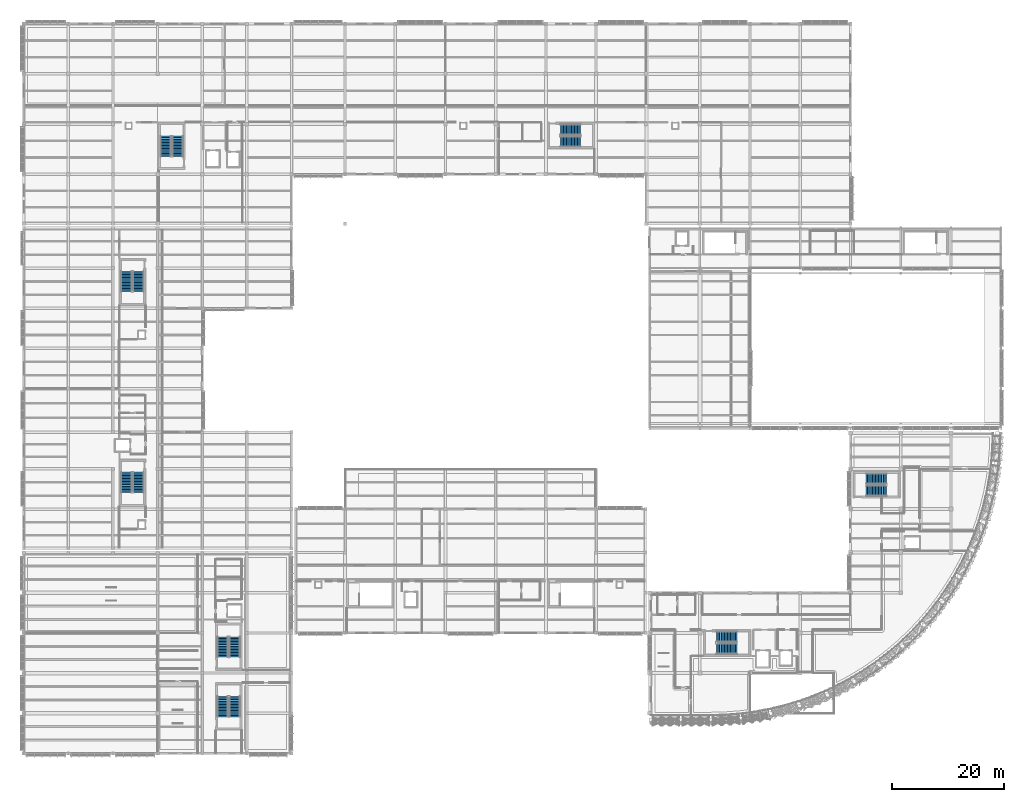
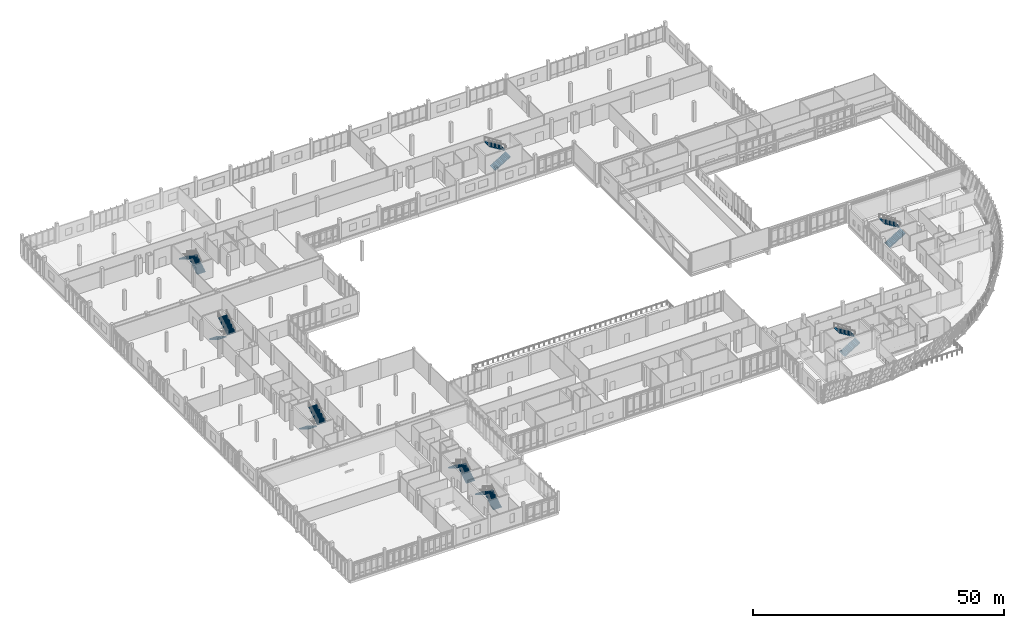
# One storey, part 163 of 177: 16 stair flights, 8 elements without a shape of their own.
"""IFC4 building model written with IfcOpenShell, lengths in metres."""

from ifc_helpers import new_model, si_unit, direction, frame, origin, place, context, subcontext, project, spatial, polyline, outline, extrude, material, type_object, element, aggregate, save


model = new_model("IFC4")

# Units and contexts
model_context = context("Model", 3, precision=1e-05, world=origin(), true_north=direction((0.0, 1.0)))
body_context = subcontext(model_context, "Body", "Model", "MODEL_VIEW")
ifc_project = project(units=[si_unit("LENGTHUNIT", "METRE"), si_unit("AREAUNIT", "SQUARE_METRE"), si_unit("VOLUMEUNIT", "CUBIC_METRE"), si_unit("PLANEANGLEUNIT", "RADIAN"), si_unit("MASSUNIT", "GRAM", prefix="KILO")], contexts=[model_context])

# Site, building, storey
site_placement = place(None, origin())
site = spatial("IfcSite", under=ifc_project, at=site_placement, CompositionType="ELEMENT")
building_placement = place(site_placement, origin())
building = spatial("IfcBuilding", under=site, at=building_placement, Name="Chiffa Square Polytechnic", CompositionType="ELEMENT")
storey_placement = place(building_placement, frame((0.0, 0.0, 4.800048828125)))
storey = spatial("IfcBuildingStorey", under=building, at=storey_placement, Name="L01", CompositionType="ELEMENT", Elevation=4.800048828125)

# Stair, stair flights
ifc_material = material(Name="Concrete C35/45", Category="concrete")
stair_type = type_object("IfcStairType", Name="STAIR-DOG-1950", PredefinedType="HALF_TURN_STAIR", material=ifc_material)
stair_1_placement = place(storey_placement, origin())
stair_1 = element("IfcStair", 1, at=stair_1_placement, inside=storey, type_object=stair_type, Name="L01 Enclosed exit stair ST-V1A", PredefinedType="HALF_TURN_STAIR")
stair_flight_type = type_object("IfcStairFlightType", Name="STFLT-1950", PredefinedType="STRAIGHT", material=ifc_material)
stair_flight_1_placement = place(storey_placement, frame((124.199951171875, 18.72509765625, 0.0), z_axis=(0.0, 0.0, 1.0), x_axis=(1.0, 0.0, 0.0)))
stair_flight_1 = element("IfcStairFlight", 2, at=stair_flight_1_placement, type_object=stair_flight_type, Name="ST-V1A flight 1", NumberOfRisers=14, NumberOfTreads=13, PredefinedType="STRAIGHT", RiserHeight=0.171428571, TreadLength=0.28, context=body_context, shape_type="SweptSolid", body=[
    extrude(outline(polyline([(0.0, 0.0), (0.0, 0.17138671875), (0.280029296875, 0.17138671875), (0.280029296875, 0.3427734375), (0.56005859375, 0.3427734375), (0.56005859375, 0.514404296875), (0.840087890625, 0.514404296875), (0.840087890625, 0.685791015625), (1.1201171875, 0.685791015625), (1.1201171875, 0.857177734375), (1.39990234375, 0.857177734375), (1.39990234375, 1.028564453125), (1.679931640625, 1.028564453125), (1.679931640625, 1.199951171875), (1.9599609375, 1.199951171875), (1.9599609375, 1.371337890625), (2.239990234375, 1.371337890625), (2.239990234375, 1.54296875), (2.52001953125, 1.54296875), (2.52001953125, 1.71435546875), (2.800048828125, 1.71435546875), (2.800048828125, 1.8857421875), (3.080078125, 1.8857421875), (3.080078125, 2.05712890625), (3.360107421875, 2.05712890625), (3.360107421875, 2.228515625), (3.639892578125, 2.228515625), (3.639892578125, 2.39990234375), (3.639892578125, 2.041015625), (0.30615234375, 0.0), (0.0, 0.0)])), frame((0.0, 0.97509765625, 0.0), z_axis=(0.0, -1.0, 0.0), x_axis=(1.0, 0.0, 0.0)), (0.0, 0.0, 1.0), 1.949951171875),
])
stair_flight_2_placement = place(storey_placement, frame((127.840087890625, 20.875, 2.39990234375), z_axis=(0.0, 0.0, 1.0), x_axis=(-1.0, 0.0, 0.0)))
stair_flight_2 = element("IfcStairFlight", 3, at=stair_flight_2_placement, type_object=stair_flight_type, Name="ST-V1A flight 2", NumberOfRisers=14, NumberOfTreads=13, PredefinedType="STRAIGHT", RiserHeight=0.171428571, TreadLength=0.28, context=body_context, shape_type="SweptSolid", body=[
    extrude(outline(polyline([(0.0, 0.0), (0.0, 0.17138671875), (0.280029296875, 0.17138671875), (0.280029296875, 0.3427734375), (0.56005859375, 0.3427734375), (0.56005859375, 0.514404296875), (0.840087890625, 0.514404296875), (0.840087890625, 0.685791015625), (1.1201171875, 0.685791015625), (1.1201171875, 0.857177734375), (1.39990234375, 0.857177734375), (1.39990234375, 1.028564453125), (1.679931640625, 1.028564453125), (1.679931640625, 1.199951171875), (1.9599609375, 1.199951171875), (1.9599609375, 1.371337890625), (2.239990234375, 1.371337890625), (2.239990234375, 1.54296875), (2.52001953125, 1.54296875), (2.52001953125, 1.71435546875), (2.800048828125, 1.71435546875), (2.800048828125, 1.8857421875), (3.080078125, 1.8857421875), (3.080078125, 2.05712890625), (3.360107421875, 2.05712890625), (3.360107421875, 2.228515625), (3.639892578125, 2.228515625), (3.639892578125, 2.39990234375), (3.639892578125, 2.041015625), (0.30615234375, 0.0), (0.0, 0.0)])), frame((0.0, 0.97509765625, 0.0), z_axis=(0.0, -1.0, 0.0), x_axis=(1.0, 0.0, 0.0)), (0.0, 0.0, 1.0), 1.949951171875),
])
aggregate(stair_1, [stair_flight_1, stair_flight_2])

stair_2_placement = place(storey_placement, origin())
stair_2 = element("IfcStair", 4, at=stair_2_placement, inside=storey, type_object=stair_type, Name="L01 Enclosed exit stair ST-V1B", PredefinedType="HALF_TURN_STAIR")
stair_flight_3_placement = place(storey_placement, frame((151.0, 47.074951171875, 0.0), z_axis=(0.0, 0.0, 1.0), x_axis=(1.0, 0.0, 0.0)))
stair_flight_3 = element("IfcStairFlight", 5, at=stair_flight_3_placement, type_object=stair_flight_type, Name="ST-V1B flight 1", NumberOfRisers=14, NumberOfTreads=13, PredefinedType="STRAIGHT", RiserHeight=0.171428571, TreadLength=0.28, context=body_context, shape_type="SweptSolid", body=[
    extrude(outline(polyline([(0.0, 0.0), (0.0, 0.17138671875), (0.280029296875, 0.17138671875), (0.280029296875, 0.3427734375), (0.56005859375, 0.3427734375), (0.56005859375, 0.514404296875), (0.840087890625, 0.514404296875), (0.840087890625, 0.685791015625), (1.1201171875, 0.685791015625), (1.1201171875, 0.857177734375), (1.39990234375, 0.857177734375), (1.39990234375, 1.028564453125), (1.679931640625, 1.028564453125), (1.679931640625, 1.199951171875), (1.9599609375, 1.199951171875), (1.9599609375, 1.371337890625), (2.239990234375, 1.371337890625), (2.239990234375, 1.54296875), (2.52001953125, 1.54296875), (2.52001953125, 1.71435546875), (2.800048828125, 1.71435546875), (2.800048828125, 1.8857421875), (3.080078125, 1.8857421875), (3.080078125, 2.05712890625), (3.360107421875, 2.05712890625), (3.360107421875, 2.228515625), (3.639892578125, 2.228515625), (3.639892578125, 2.39990234375), (3.639892578125, 2.041015625), (0.30615234375, 0.0), (0.0, 0.0)])), frame((0.0, 0.97509765625, 0.0), z_axis=(0.0, -1.0, 0.0), x_axis=(1.0, 0.0, 0.0)), (0.0, 0.0, 1.0), 1.949951171875),
])
stair_flight_4_placement = place(storey_placement, frame((154.639892578125, 49.22509765625, 2.39990234375), z_axis=(0.0, 0.0, 1.0), x_axis=(-1.0, 0.0, 0.0)))
stair_flight_4 = element("IfcStairFlight", 6, at=stair_flight_4_placement, type_object=stair_flight_type, Name="ST-V1B flight 2", NumberOfRisers=14, NumberOfTreads=13, PredefinedType="STRAIGHT", RiserHeight=0.171428571, TreadLength=0.28, context=body_context, shape_type="SweptSolid", body=[
    extrude(outline(polyline([(0.0, 0.0), (0.0, 0.17138671875), (0.280029296875, 0.17138671875), (0.280029296875, 0.3427734375), (0.56005859375, 0.3427734375), (0.56005859375, 0.514404296875), (0.840087890625, 0.514404296875), (0.840087890625, 0.685791015625), (1.1201171875, 0.685791015625), (1.1201171875, 0.857177734375), (1.39990234375, 0.857177734375), (1.39990234375, 1.028564453125), (1.679931640625, 1.028564453125), (1.679931640625, 1.199951171875), (1.9599609375, 1.199951171875), (1.9599609375, 1.371337890625), (2.239990234375, 1.371337890625), (2.239990234375, 1.54296875), (2.52001953125, 1.54296875), (2.52001953125, 1.71435546875), (2.800048828125, 1.71435546875), (2.800048828125, 1.8857421875), (3.080078125, 1.8857421875), (3.080078125, 2.05712890625), (3.360107421875, 2.05712890625), (3.360107421875, 2.228515625), (3.639892578125, 2.228515625), (3.639892578125, 2.39990234375), (3.639892578125, 2.041015625), (0.30615234375, 0.0), (0.0, 0.0)])), frame((0.0, 0.97509765625, 0.0), z_axis=(0.0, -1.0, 0.0), x_axis=(1.0, 0.0, 0.0)), (0.0, 0.0, 1.0), 1.949951171875),
])
aggregate(stair_2, [stair_flight_3, stair_flight_4])

stair_3_placement = place(storey_placement, origin())
stair_3 = element("IfcStair", 7, at=stair_3_placement, inside=storey, type_object=stair_type, Name="L01 Enclosed exit stair ST-V3A", PredefinedType="HALF_TURN_STAIR")
stair_flight_5_placement = place(storey_placement, frame((37.824951171875, 6.550048828125, 0.0), z_axis=(0.0, 0.0, 1.0), x_axis=(0.0, 1.0, 0.0)))
stair_flight_5 = element("IfcStairFlight", 8, at=stair_flight_5_placement, type_object=stair_flight_type, Name="ST-V3A flight 1", NumberOfRisers=14, NumberOfTreads=13, PredefinedType="STRAIGHT", RiserHeight=0.171428571, TreadLength=0.28, context=body_context, shape_type="SweptSolid", body=[
    extrude(outline(polyline([(0.0, 0.0), (0.0, 0.17138671875), (0.280029296875, 0.17138671875), (0.280029296875, 0.3427734375), (0.56005859375, 0.3427734375), (0.56005859375, 0.514404296875), (0.840087890625, 0.514404296875), (0.840087890625, 0.685791015625), (1.1201171875, 0.685791015625), (1.1201171875, 0.857177734375), (1.39990234375, 0.857177734375), (1.39990234375, 1.028564453125), (1.679931640625, 1.028564453125), (1.679931640625, 1.199951171875), (1.9599609375, 1.199951171875), (1.9599609375, 1.371337890625), (2.239990234375, 1.371337890625), (2.239990234375, 1.54296875), (2.52001953125, 1.54296875), (2.52001953125, 1.71435546875), (2.800048828125, 1.71435546875), (2.800048828125, 1.8857421875), (3.080078125, 1.8857421875), (3.080078125, 2.05712890625), (3.360107421875, 2.05712890625), (3.360107421875, 2.228515625), (3.639892578125, 2.228515625), (3.639892578125, 2.39990234375), (3.639892578125, 2.041015625), (0.30615234375, 0.0), (0.0, 0.0)])), frame((0.0, 0.97509765625, 0.0), z_axis=(0.0, -1.0, 0.0), x_axis=(1.0, 0.0, 0.0)), (0.0, 0.0, 1.0), 1.949951171875),
])
stair_flight_6_placement = place(storey_placement, frame((35.675048828125, 10.18994140625, 2.39990234375), z_axis=(0.0, 0.0, 1.0), x_axis=(0.0, -1.0, 0.0)))
stair_flight_6 = element("IfcStairFlight", 9, at=stair_flight_6_placement, type_object=stair_flight_type, Name="ST-V3A flight 2", NumberOfRisers=14, NumberOfTreads=13, PredefinedType="STRAIGHT", RiserHeight=0.171428571, TreadLength=0.28, context=body_context, shape_type="SweptSolid", body=[
    extrude(outline(polyline([(0.0, 0.0), (0.0, 0.17138671875), (0.280029296875, 0.17138671875), (0.280029296875, 0.3427734375), (0.56005859375, 0.3427734375), (0.56005859375, 0.514404296875), (0.840087890625, 0.514404296875), (0.840087890625, 0.685791015625), (1.1201171875, 0.685791015625), (1.1201171875, 0.857177734375), (1.39990234375, 0.857177734375), (1.39990234375, 1.028564453125), (1.679931640625, 1.028564453125), (1.679931640625, 1.199951171875), (1.9599609375, 1.199951171875), (1.9599609375, 1.371337890625), (2.239990234375, 1.371337890625), (2.239990234375, 1.54296875), (2.52001953125, 1.54296875), (2.52001953125, 1.71435546875), (2.800048828125, 1.71435546875), (2.800048828125, 1.8857421875), (3.080078125, 1.8857421875), (3.080078125, 2.05712890625), (3.360107421875, 2.05712890625), (3.360107421875, 2.228515625), (3.639892578125, 2.228515625), (3.639892578125, 2.39990234375), (3.639892578125, 2.041015625), (0.30615234375, 0.0), (0.0, 0.0)])), frame((0.0, 0.97509765625, 0.0), z_axis=(0.0, -1.0, 0.0), x_axis=(1.0, 0.0, 0.0)), (0.0, 0.0, 1.0), 1.949951171875),
])
aggregate(stair_3, [stair_flight_5, stair_flight_6])

stair_4_placement = place(storey_placement, origin())
stair_4 = element("IfcStair", 10, at=stair_4_placement, inside=storey, type_object=stair_type, Name="L01 Enclosed exit stair ST-V3B", PredefinedType="HALF_TURN_STAIR")
stair_flight_7_placement = place(storey_placement, frame((37.824951171875, 17.25, 0.0), z_axis=(0.0, 0.0, 1.0), x_axis=(0.0, 1.0, 0.0)))
stair_flight_7 = element("IfcStairFlight", 11, at=stair_flight_7_placement, type_object=stair_flight_type, Name="ST-V3B flight 1", NumberOfRisers=14, NumberOfTreads=13, PredefinedType="STRAIGHT", RiserHeight=0.171428571, TreadLength=0.28, context=body_context, shape_type="SweptSolid", body=[
    extrude(outline(polyline([(0.0, 0.0), (0.0, 0.17138671875), (0.280029296875, 0.17138671875), (0.280029296875, 0.3427734375), (0.56005859375, 0.3427734375), (0.56005859375, 0.514404296875), (0.840087890625, 0.514404296875), (0.840087890625, 0.685791015625), (1.1201171875, 0.685791015625), (1.1201171875, 0.857177734375), (1.39990234375, 0.857177734375), (1.39990234375, 1.028564453125), (1.679931640625, 1.028564453125), (1.679931640625, 1.199951171875), (1.9599609375, 1.199951171875), (1.9599609375, 1.371337890625), (2.239990234375, 1.371337890625), (2.239990234375, 1.54296875), (2.52001953125, 1.54296875), (2.52001953125, 1.71435546875), (2.800048828125, 1.71435546875), (2.800048828125, 1.8857421875), (3.080078125, 1.8857421875), (3.080078125, 2.05712890625), (3.360107421875, 2.05712890625), (3.360107421875, 2.228515625), (3.639892578125, 2.228515625), (3.639892578125, 2.39990234375), (3.639892578125, 2.041015625), (0.30615234375, 0.0), (0.0, 0.0)])), frame((0.0, 0.97509765625, 0.0), z_axis=(0.0, -1.0, 0.0), x_axis=(1.0, 0.0, 0.0)), (0.0, 0.0, 1.0), 1.949951171875),
])
stair_flight_8_placement = place(storey_placement, frame((35.675048828125, 20.889892578125, 2.39990234375), z_axis=(0.0, 0.0, 1.0), x_axis=(0.0, -1.0, 0.0)))
stair_flight_8 = element("IfcStairFlight", 12, at=stair_flight_8_placement, type_object=stair_flight_type, Name="ST-V3B flight 2", NumberOfRisers=14, NumberOfTreads=13, PredefinedType="STRAIGHT", RiserHeight=0.171428571, TreadLength=0.28, context=body_context, shape_type="SweptSolid", body=[
    extrude(outline(polyline([(0.0, 0.0), (0.0, 0.17138671875), (0.280029296875, 0.17138671875), (0.280029296875, 0.3427734375), (0.56005859375, 0.3427734375), (0.56005859375, 0.514404296875), (0.840087890625, 0.514404296875), (0.840087890625, 0.685791015625), (1.1201171875, 0.685791015625), (1.1201171875, 0.857177734375), (1.39990234375, 0.857177734375), (1.39990234375, 1.028564453125), (1.679931640625, 1.028564453125), (1.679931640625, 1.199951171875), (1.9599609375, 1.199951171875), (1.9599609375, 1.371337890625), (2.239990234375, 1.371337890625), (2.239990234375, 1.54296875), (2.52001953125, 1.54296875), (2.52001953125, 1.71435546875), (2.800048828125, 1.71435546875), (2.800048828125, 1.8857421875), (3.080078125, 1.8857421875), (3.080078125, 2.05712890625), (3.360107421875, 2.05712890625), (3.360107421875, 2.228515625), (3.639892578125, 2.228515625), (3.639892578125, 2.39990234375), (3.639892578125, 2.041015625), (0.30615234375, 0.0), (0.0, 0.0)])), frame((0.0, 0.97509765625, 0.0), z_axis=(0.0, -1.0, 0.0), x_axis=(1.0, 0.0, 0.0)), (0.0, 0.0, 1.0), 1.949951171875),
])
aggregate(stair_4, [stair_flight_7, stair_flight_8])

stair_5_placement = place(storey_placement, origin())
stair_5 = element("IfcStair", 13, at=stair_5_placement, inside=storey, type_object=stair_type, Name="L01 Enclosed exit stair ST-V5A", PredefinedType="HALF_TURN_STAIR")
stair_flight_9_placement = place(storey_placement, frame((27.625, 107.0, 0.0), z_axis=(0.0, 0.0, 1.0), x_axis=(0.0, 1.0, 0.0)))
stair_flight_9 = element("IfcStairFlight", 14, at=stair_flight_9_placement, type_object=stair_flight_type, Name="ST-V5A flight 1", NumberOfRisers=14, NumberOfTreads=13, PredefinedType="STRAIGHT", RiserHeight=0.171428571, TreadLength=0.28, context=body_context, shape_type="SweptSolid", body=[
    extrude(outline(polyline([(0.0, 0.0), (0.0, 0.17138671875), (0.280029296875, 0.17138671875), (0.280029296875, 0.3427734375), (0.56005859375, 0.3427734375), (0.56005859375, 0.514404296875), (0.840087890625, 0.514404296875), (0.840087890625, 0.685791015625), (1.1201171875, 0.685791015625), (1.1201171875, 0.857177734375), (1.39990234375, 0.857177734375), (1.39990234375, 1.028564453125), (1.679931640625, 1.028564453125), (1.679931640625, 1.199951171875), (1.9599609375, 1.199951171875), (1.9599609375, 1.371337890625), (2.239990234375, 1.371337890625), (2.239990234375, 1.54296875), (2.52001953125, 1.54296875), (2.52001953125, 1.71435546875), (2.800048828125, 1.71435546875), (2.800048828125, 1.8857421875), (3.080078125, 1.8857421875), (3.080078125, 2.05712890625), (3.360107421875, 2.05712890625), (3.360107421875, 2.228515625), (3.639892578125, 2.228515625), (3.639892578125, 2.39990234375), (3.639892578125, 2.041015625), (0.30615234375, 0.0), (0.0, 0.0)])), frame((0.0, 0.97509765625, 0.0), z_axis=(0.0, -1.0, 0.0), x_axis=(1.0, 0.0, 0.0)), (0.0, 0.0, 1.0), 1.949951171875),
])
stair_flight_10_placement = place(storey_placement, frame((25.47509765625, 110.639892578125, 2.39990234375), z_axis=(0.0, 0.0, 1.0), x_axis=(0.0, -1.0, 0.0)))
stair_flight_10 = element("IfcStairFlight", 15, at=stair_flight_10_placement, type_object=stair_flight_type, Name="ST-V5A flight 2", NumberOfRisers=14, NumberOfTreads=13, PredefinedType="STRAIGHT", RiserHeight=0.171428571, TreadLength=0.28, context=body_context, shape_type="SweptSolid", body=[
    extrude(outline(polyline([(0.0, 0.0), (0.0, 0.17138671875), (0.280029296875, 0.17138671875), (0.280029296875, 0.3427734375), (0.56005859375, 0.3427734375), (0.56005859375, 0.514404296875), (0.840087890625, 0.514404296875), (0.840087890625, 0.685791015625), (1.1201171875, 0.685791015625), (1.1201171875, 0.857177734375), (1.39990234375, 0.857177734375), (1.39990234375, 1.028564453125), (1.679931640625, 1.028564453125), (1.679931640625, 1.199951171875), (1.9599609375, 1.199951171875), (1.9599609375, 1.371337890625), (2.239990234375, 1.371337890625), (2.239990234375, 1.54296875), (2.52001953125, 1.54296875), (2.52001953125, 1.71435546875), (2.800048828125, 1.71435546875), (2.800048828125, 1.8857421875), (3.080078125, 1.8857421875), (3.080078125, 2.05712890625), (3.360107421875, 2.05712890625), (3.360107421875, 2.228515625), (3.639892578125, 2.228515625), (3.639892578125, 2.39990234375), (3.639892578125, 2.041015625), (0.30615234375, 0.0), (0.0, 0.0)])), frame((0.0, 0.97509765625, 0.0), z_axis=(0.0, -1.0, 0.0), x_axis=(1.0, 0.0, 0.0)), (0.0, 0.0, 1.0), 1.949951171875),
])
aggregate(stair_5, [stair_flight_9, stair_flight_10])

stair_6_placement = place(storey_placement, origin())
stair_6 = element("IfcStair", 16, at=stair_6_placement, inside=storey, type_object=stair_type, Name="L01 Enclosed exit stair ST-V5B", PredefinedType="HALF_TURN_STAIR")
stair_flight_11_placement = place(storey_placement, frame((96.199951171875, 109.675048828125, 0.0), z_axis=(0.0, 0.0, 1.0), x_axis=(1.0, 0.0, 0.0)))
stair_flight_11 = element("IfcStairFlight", 17, at=stair_flight_11_placement, type_object=stair_flight_type, Name="ST-V5B flight 1", NumberOfRisers=14, NumberOfTreads=13, PredefinedType="STRAIGHT", RiserHeight=0.171428571, TreadLength=0.28, context=body_context, shape_type="SweptSolid", body=[
    extrude(outline(polyline([(0.0, 0.0), (0.0, 0.17138671875), (0.280029296875, 0.17138671875), (0.280029296875, 0.3427734375), (0.56005859375, 0.3427734375), (0.56005859375, 0.514404296875), (0.840087890625, 0.514404296875), (0.840087890625, 0.685791015625), (1.1201171875, 0.685791015625), (1.1201171875, 0.857177734375), (1.39990234375, 0.857177734375), (1.39990234375, 1.028564453125), (1.679931640625, 1.028564453125), (1.679931640625, 1.199951171875), (1.9599609375, 1.199951171875), (1.9599609375, 1.371337890625), (2.239990234375, 1.371337890625), (2.239990234375, 1.54296875), (2.52001953125, 1.54296875), (2.52001953125, 1.71435546875), (2.800048828125, 1.71435546875), (2.800048828125, 1.8857421875), (3.080078125, 1.8857421875), (3.080078125, 2.05712890625), (3.360107421875, 2.05712890625), (3.360107421875, 2.228515625), (3.639892578125, 2.228515625), (3.639892578125, 2.39990234375), (3.639892578125, 2.041015625), (0.30615234375, 0.0), (0.0, 0.0)])), frame((0.0, 0.97509765625, 0.0), z_axis=(0.0, -1.0, 0.0), x_axis=(1.0, 0.0, 0.0)), (0.0, 0.0, 1.0), 1.949951171875),
])
stair_flight_12_placement = place(storey_placement, frame((99.840087890625, 111.824951171875, 2.39990234375), z_axis=(0.0, 0.0, 1.0), x_axis=(-1.0, 0.0, 0.0)))
stair_flight_12 = element("IfcStairFlight", 18, at=stair_flight_12_placement, type_object=stair_flight_type, Name="ST-V5B flight 2", NumberOfRisers=14, NumberOfTreads=13, PredefinedType="STRAIGHT", RiserHeight=0.171428571, TreadLength=0.28, context=body_context, shape_type="SweptSolid", body=[
    extrude(outline(polyline([(0.0, 0.0), (0.0, 0.17138671875), (0.280029296875, 0.17138671875), (0.280029296875, 0.3427734375), (0.56005859375, 0.3427734375), (0.56005859375, 0.514404296875), (0.840087890625, 0.514404296875), (0.840087890625, 0.685791015625), (1.1201171875, 0.685791015625), (1.1201171875, 0.857177734375), (1.39990234375, 0.857177734375), (1.39990234375, 1.028564453125), (1.679931640625, 1.028564453125), (1.679931640625, 1.199951171875), (1.9599609375, 1.199951171875), (1.9599609375, 1.371337890625), (2.239990234375, 1.371337890625), (2.239990234375, 1.54296875), (2.52001953125, 1.54296875), (2.52001953125, 1.71435546875), (2.800048828125, 1.71435546875), (2.800048828125, 1.8857421875), (3.080078125, 1.8857421875), (3.080078125, 2.05712890625), (3.360107421875, 2.05712890625), (3.360107421875, 2.228515625), (3.639892578125, 2.228515625), (3.639892578125, 2.39990234375), (3.639892578125, 2.041015625), (0.30615234375, 0.0), (0.0, 0.0)])), frame((0.0, 0.97509765625, 0.0), z_axis=(0.0, -1.0, 0.0), x_axis=(1.0, 0.0, 0.0)), (0.0, 0.0, 1.0), 1.949951171875),
])
aggregate(stair_6, [stair_flight_11, stair_flight_12])

stair_7_placement = place(storey_placement, origin())
stair_7 = element("IfcStair", 19, at=stair_7_placement, inside=storey, type_object=stair_type, Name="L01 Enclosed exit stair ST-V6A", PredefinedType="HALF_TURN_STAIR")
stair_flight_13_placement = place(storey_placement, frame((18.425048828125, 50.39990234375, 0.0), z_axis=(0.0, 0.0, 1.0), x_axis=(0.0, -1.0, 0.0)))
stair_flight_13 = element("IfcStairFlight", 20, at=stair_flight_13_placement, type_object=stair_flight_type, Name="ST-V6A flight 1", NumberOfRisers=14, NumberOfTreads=13, PredefinedType="STRAIGHT", RiserHeight=0.171428571, TreadLength=0.28, context=body_context, shape_type="SweptSolid", body=[
    extrude(outline(polyline([(0.0, 0.0), (0.0, 0.17138671875), (0.280029296875, 0.17138671875), (0.280029296875, 0.3427734375), (0.56005859375, 0.3427734375), (0.56005859375, 0.514404296875), (0.840087890625, 0.514404296875), (0.840087890625, 0.685791015625), (1.1201171875, 0.685791015625), (1.1201171875, 0.857177734375), (1.39990234375, 0.857177734375), (1.39990234375, 1.028564453125), (1.679931640625, 1.028564453125), (1.679931640625, 1.199951171875), (1.9599609375, 1.199951171875), (1.9599609375, 1.371337890625), (2.239990234375, 1.371337890625), (2.239990234375, 1.54296875), (2.52001953125, 1.54296875), (2.52001953125, 1.71435546875), (2.800048828125, 1.71435546875), (2.800048828125, 1.8857421875), (3.080078125, 1.8857421875), (3.080078125, 2.05712890625), (3.360107421875, 2.05712890625), (3.360107421875, 2.228515625), (3.639892578125, 2.228515625), (3.639892578125, 2.39990234375), (3.639892578125, 2.041015625), (0.30615234375, 0.0), (0.0, 0.0)])), frame((0.0, 0.97509765625, 0.0), z_axis=(0.0, -1.0, 0.0), x_axis=(1.0, 0.0, 0.0)), (0.0, 0.0, 1.0), 1.949951171875),
])
stair_flight_14_placement = place(storey_placement, frame((20.574951171875, 46.760009765625, 2.39990234375), z_axis=(0.0, 0.0, 1.0), x_axis=(0.0, 1.0, 0.0)))
stair_flight_14 = element("IfcStairFlight", 21, at=stair_flight_14_placement, type_object=stair_flight_type, Name="ST-V6A flight 2", NumberOfRisers=14, NumberOfTreads=13, PredefinedType="STRAIGHT", RiserHeight=0.171428571, TreadLength=0.28, context=body_context, shape_type="SweptSolid", body=[
    extrude(outline(polyline([(0.0, 0.0), (0.0, 0.17138671875), (0.280029296875, 0.17138671875), (0.280029296875, 0.3427734375), (0.56005859375, 0.3427734375), (0.56005859375, 0.514404296875), (0.840087890625, 0.514404296875), (0.840087890625, 0.685791015625), (1.1201171875, 0.685791015625), (1.1201171875, 0.857177734375), (1.39990234375, 0.857177734375), (1.39990234375, 1.028564453125), (1.679931640625, 1.028564453125), (1.679931640625, 1.199951171875), (1.9599609375, 1.199951171875), (1.9599609375, 1.371337890625), (2.239990234375, 1.371337890625), (2.239990234375, 1.54296875), (2.52001953125, 1.54296875), (2.52001953125, 1.71435546875), (2.800048828125, 1.71435546875), (2.800048828125, 1.8857421875), (3.080078125, 1.8857421875), (3.080078125, 2.05712890625), (3.360107421875, 2.05712890625), (3.360107421875, 2.228515625), (3.639892578125, 2.228515625), (3.639892578125, 2.39990234375), (3.639892578125, 2.041015625), (0.30615234375, 0.0), (0.0, 0.0)])), frame((0.0, 0.97509765625, 0.0), z_axis=(0.0, -1.0, 0.0), x_axis=(1.0, 0.0, 0.0)), (0.0, 0.0, 1.0), 1.949951171875),
])
aggregate(stair_7, [stair_flight_13, stair_flight_14])

stair_8_placement = place(storey_placement, origin())
stair_8 = element("IfcStair", 22, at=stair_8_placement, inside=storey, type_object=stair_type, Name="L01 Enclosed exit stair ST-V6B", PredefinedType="HALF_TURN_STAIR")
stair_flight_15_placement = place(storey_placement, frame((18.425048828125, 86.39990234375, 0.0), z_axis=(0.0, 0.0, 1.0), x_axis=(0.0, -1.0, 0.0)))
stair_flight_15 = element("IfcStairFlight", 23, at=stair_flight_15_placement, type_object=stair_flight_type, Name="ST-V6B flight 1", NumberOfRisers=14, NumberOfTreads=13, PredefinedType="STRAIGHT", RiserHeight=0.171428571, TreadLength=0.28, context=body_context, shape_type="SweptSolid", body=[
    extrude(outline(polyline([(0.0, 0.0), (0.0, 0.17138671875), (0.280029296875, 0.17138671875), (0.280029296875, 0.3427734375), (0.56005859375, 0.3427734375), (0.56005859375, 0.514404296875), (0.840087890625, 0.514404296875), (0.840087890625, 0.685791015625), (1.1201171875, 0.685791015625), (1.1201171875, 0.857177734375), (1.39990234375, 0.857177734375), (1.39990234375, 1.028564453125), (1.679931640625, 1.028564453125), (1.679931640625, 1.199951171875), (1.9599609375, 1.199951171875), (1.9599609375, 1.371337890625), (2.239990234375, 1.371337890625), (2.239990234375, 1.54296875), (2.52001953125, 1.54296875), (2.52001953125, 1.71435546875), (2.800048828125, 1.71435546875), (2.800048828125, 1.8857421875), (3.080078125, 1.8857421875), (3.080078125, 2.05712890625), (3.360107421875, 2.05712890625), (3.360107421875, 2.228515625), (3.639892578125, 2.228515625), (3.639892578125, 2.39990234375), (3.639892578125, 2.041015625), (0.30615234375, 0.0), (0.0, 0.0)])), frame((0.0, 0.97509765625, 0.0), z_axis=(0.0, -1.0, 0.0), x_axis=(1.0, 0.0, 0.0)), (0.0, 0.0, 1.0), 1.949951171875),
])
stair_flight_16_placement = place(storey_placement, frame((20.574951171875, 82.760009765625, 2.39990234375), z_axis=(0.0, 0.0, 1.0), x_axis=(0.0, 1.0, 0.0)))
stair_flight_16 = element("IfcStairFlight", 24, at=stair_flight_16_placement, type_object=stair_flight_type, Name="ST-V6B flight 2", NumberOfRisers=14, NumberOfTreads=13, PredefinedType="STRAIGHT", RiserHeight=0.171428571, TreadLength=0.28, context=body_context, shape_type="SweptSolid", body=[
    extrude(outline(polyline([(0.0, 0.0), (0.0, 0.17138671875), (0.280029296875, 0.17138671875), (0.280029296875, 0.3427734375), (0.56005859375, 0.3427734375), (0.56005859375, 0.514404296875), (0.840087890625, 0.514404296875), (0.840087890625, 0.685791015625), (1.1201171875, 0.685791015625), (1.1201171875, 0.857177734375), (1.39990234375, 0.857177734375), (1.39990234375, 1.028564453125), (1.679931640625, 1.028564453125), (1.679931640625, 1.199951171875), (1.9599609375, 1.199951171875), (1.9599609375, 1.371337890625), (2.239990234375, 1.371337890625), (2.239990234375, 1.54296875), (2.52001953125, 1.54296875), (2.52001953125, 1.71435546875), (2.800048828125, 1.71435546875), (2.800048828125, 1.8857421875), (3.080078125, 1.8857421875), (3.080078125, 2.05712890625), (3.360107421875, 2.05712890625), (3.360107421875, 2.228515625), (3.639892578125, 2.228515625), (3.639892578125, 2.39990234375), (3.639892578125, 2.041015625), (0.30615234375, 0.0), (0.0, 0.0)])), frame((0.0, 0.97509765625, 0.0), z_axis=(0.0, -1.0, 0.0), x_axis=(1.0, 0.0, 0.0)), (0.0, 0.0, 1.0), 1.949951171875),
])
aggregate(stair_8, [stair_flight_15, stair_flight_16])

save(model, "model.ifc")
